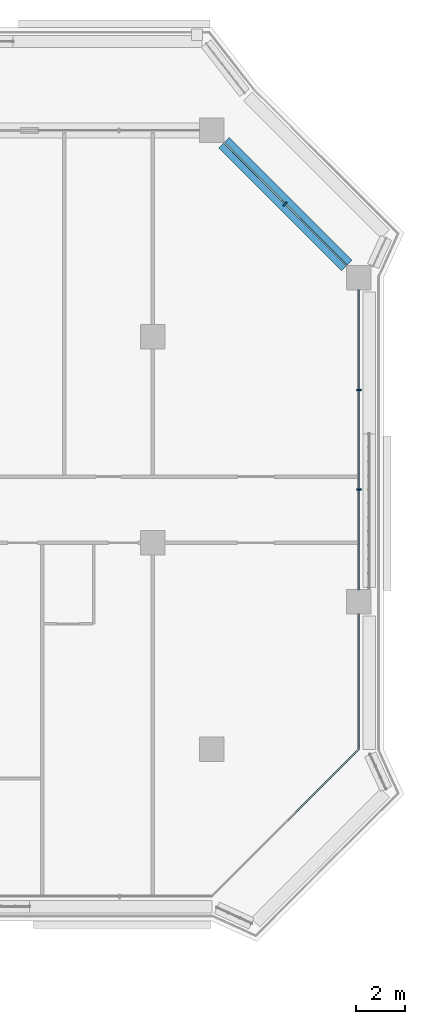
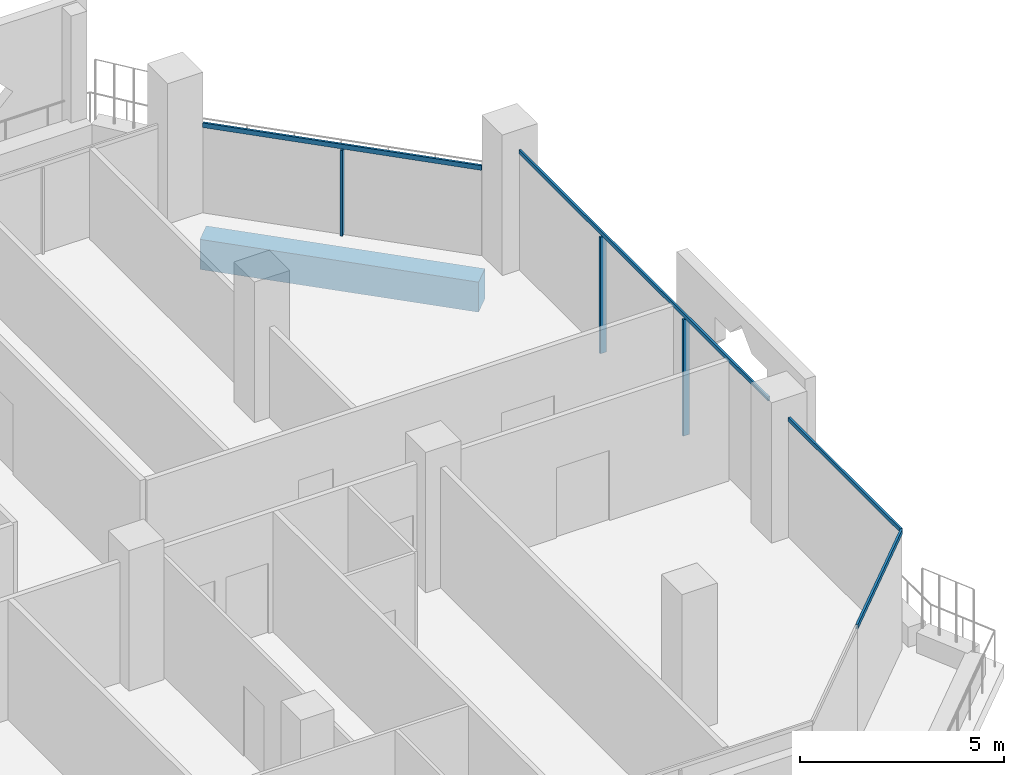
# One storey, part 7 of 22: 7 members, 1 beam, 3 elements without a shape of their own.
"""IFC4 building model written with IfcOpenShell, lengths in metres."""

from ifc_helpers import new_model, si_unit, direction, frame, origin, origin_2d, place, context, subcontext, project, spatial, rectangle, extrude, material, layer, layer_set, material_profile, profile_set, type_object, element, aggregate, save


model = new_model("IFC4")

# Units and contexts
model_context = context("Model", 3, precision=1e-05, world=origin(), true_north=direction((0.0, 1.0)))
body_context = subcontext(model_context, "Body", "Model", "MODEL_VIEW")
ifc_project = project(units=[si_unit("LENGTHUNIT", "METRE"), si_unit("AREAUNIT", "SQUARE_METRE"), si_unit("VOLUMEUNIT", "CUBIC_METRE"), si_unit("PLANEANGLEUNIT", "RADIAN"), si_unit("MASSUNIT", "GRAM", prefix="KILO")], contexts=[model_context])

# Site, building, storey
site_placement = place(None, origin())
site = spatial("IfcSite", under=ifc_project, at=site_placement, CompositionType="ELEMENT")
building_placement = place(site_placement, origin())
building = spatial("IfcBuilding", under=site, at=building_placement, Name="Kawkab Arch Medical Tower", CompositionType="ELEMENT")
storey_placement = place(building_placement, frame((0.0, 0.0, 183.60009765625)))
storey = spatial("IfcBuildingStorey", under=building, at=storey_placement, Name="L42", CompositionType="ELEMENT", Elevation=183.60009765625)

# Curtain wall, members
ifc_material_1 = material(Name="Bronze anodised aluminium curtain wall frame", Category="aluminium")
ifc_layer_1 = layer(ifc_material_1, 0.159912109375)
ifc_layer_set_1 = layer_set([ifc_layer_1], Name="Bronze anodised aluminium curtain wall frame")
curtain_wall_type_1 = type_object("IfcCurtainWallType", Name="CW1 ward curtain wall", PredefinedType="NOTDEFINED", material=ifc_layer_set_1)
placement = place(storey_placement, origin())
curtain_wall_1 = element("IfcCurtainWall", 1, at=placement, inside=storey, type_object=curtain_wall_type_1, Name="CW1 Ward curtain wall R09", PredefinedType="NOTDEFINED")
ifc_material_2 = material(Name="Bronze anodised aluminium curtain wall frame", Category="aluminium")
ifc_material_profile_1 = material_profile(ifc_material_2, rectangle(XDim=0.179931640625, YDim=0.06005859375, at=origin_2d()), Name="AL 60x180")
ifc_profile_set_1 = profile_set([ifc_material_profile_1], Name="Bronze anodised aluminium curtain wall frame")
member_type_1 = type_object("IfcMemberType", Name="CW1 mullion 60 x 180", PredefinedType="MULLION", material=ifc_profile_set_1)
member_1_placement = place(storey_placement, frame((67.199951171875, -14.63330078125, 0.0), z_axis=(0.0, 0.0, 1.0), x_axis=(-1.0, 0.0, 0.0)))
member_1 = element("IfcMember", 2, at=member_1_placement, type_object=member_type_1, Name="CW1 mullion 2.1", PredefinedType="MULLION", context=body_context, shape_type="SweptSolid", body=[
    extrude(rectangle(XDim=0.179931640625, YDim=0.06005859375, at=origin_2d()), origin(), (0.0, 0.0, 1.0), 3.47998046875),
])
member_2_placement = place(storey_placement, frame((67.199951171875, -10.566650390625, 0.0), z_axis=(0.0, 0.0, 1.0), x_axis=(-1.0, 0.0, 0.0)))
member_2 = element("IfcMember", 3, at=member_2_placement, type_object=member_type_1, Name="CW1 mullion 2.2", PredefinedType="MULLION", context=body_context, shape_type="SweptSolid", body=[
    extrude(rectangle(XDim=0.179931640625, YDim=0.06005859375, at=origin_2d()), origin(), (0.0, 0.0, 1.0), 3.47998046875),
])
ifc_material_3 = material(Name="Bronze anodised aluminium curtain wall frame", Category="aluminium")
ifc_material_profile_2 = material_profile(ifc_material_3, rectangle(XDim=0.06005859375, YDim=0.1201171875, at=origin_2d()), Name="AL 60x120")
ifc_profile_set_2 = profile_set([ifc_material_profile_2], Name="Bronze anodised aluminium curtain wall frame")
member_type_2 = type_object("IfcMemberType", Name="CW1 transom 120 x 60", PredefinedType="USERDEFINED", material=ifc_profile_set_2)
member_3_placement = place(storey_placement, frame((67.199951171875, -25.199951171875, 3.539794921875), z_axis=(0.0, 1.0, 0.0), x_axis=(-1.0, 0.0, 0.0)))
member_3 = element("IfcMember", 4, at=member_3_placement, type_object=member_type_2, Name="CW1 transom 1", ObjectType="TRANSOM", PredefinedType="USERDEFINED", context=body_context, shape_type="SweptSolid", body=[
    extrude(rectangle(XDim=0.06005859375, YDim=0.1201171875, at=origin_2d()), origin(), (0.0, 0.0, 1.0), 5.5),
])
member_4_placement = place(storey_placement, frame((67.199951171875, -18.699951171875, 3.539794921875), z_axis=(0.0, 1.0, 0.0), x_axis=(-1.0, 0.0, 0.0)))
member_4 = element("IfcMember", 5, at=member_4_placement, type_object=member_type_2, Name="CW1 transom 2", ObjectType="TRANSOM", PredefinedType="USERDEFINED", context=body_context, shape_type="SweptSolid", body=[
    extrude(rectangle(XDim=0.06005859375, YDim=0.1201171875, at=origin_2d()), origin(), (0.0, 0.0, 1.0), 12.199951171875),
])
aggregate(curtain_wall_1, [member_3, member_4, member_1, member_2])

# Curtain wall, member
ifc_material_4 = material(Name="Bronze anodised aluminium curtain wall frame", Category="aluminium")
ifc_layer_2 = layer(ifc_material_4, 0.159912109375)
ifc_layer_set_2 = layer_set([ifc_layer_2], Name="Bronze anodised aluminium curtain wall frame")
curtain_wall_type_2 = type_object("IfcCurtainWallType", Name="CW2 chamfer curtain wall", PredefinedType="NOTDEFINED", material=ifc_layer_set_2)
curtain_wall_2 = element("IfcCurtainWall", 6, at=placement, inside=storey, type_object=curtain_wall_type_2, Name="CW2 Chamfer curtain wall R10", PredefinedType="NOTDEFINED")
ifc_material_5 = material(Name="Bronze anodised aluminium curtain wall frame", Category="aluminium")
ifc_material_profile_3 = material_profile(ifc_material_5, rectangle(XDim=0.199951171875, YDim=0.06005859375, at=origin_2d()), Name="AL 60x200")
ifc_profile_set_3 = profile_set([ifc_material_profile_3], Name="Bronze anodised aluminium curtain wall frame")
member_type_3 = type_object("IfcMemberType", Name="CW2 mullion 60 x 200", PredefinedType="MULLION", material=ifc_profile_set_3)
member_5_placement = place(storey_placement, frame((64.199951171875, -3.0, 0.0), z_axis=(0.0, 0.0, 1.0), x_axis=(-0.707106781187, -0.707106781187, 0.0)))
member_5 = element("IfcMember", 7, at=member_5_placement, type_object=member_type_3, Name="CW2 mullion 1.1", PredefinedType="MULLION", context=body_context, shape_type="SweptSolid", body=[
    extrude(rectangle(XDim=0.199951171875, YDim=0.06005859375, at=origin_2d()), origin(), (0.0, 0.0, 1.0), 2.559814453125),
])

curtain_wall_3 = element("IfcCurtainWall", 8, at=placement, inside=storey, type_object=curtain_wall_type_2, Name="CW2 Chamfer curtain wall R08", PredefinedType="NOTDEFINED")
ifc_material_6 = material(Name="Bronze anodised aluminium curtain wall frame", Category="aluminium")
ifc_material_profile_4 = material_profile(ifc_material_6, rectangle(XDim=0.06005859375, YDim=0.139892578125, at=origin_2d()), Name="AL 60x140")
ifc_profile_set_4 = profile_set([ifc_material_profile_4], Name="Bronze anodised aluminium curtain wall frame")
member_type_4 = type_object("IfcMemberType", Name="CW2 transom 140 x 60", PredefinedType="USERDEFINED", material=ifc_profile_set_4)
member_6_placement = place(storey_placement, frame((64.199951171875, -28.199951171875, 3.52978515625), z_axis=(0.707106781187, 0.707106781187, 0.0), x_axis=(-0.707106781187, 0.707106781187, 0.0)))
member_6 = element("IfcMember", 9, at=member_6_placement, type_object=member_type_4, Name="CW2 transom 2", ObjectType="TRANSOM", PredefinedType="USERDEFINED", context=body_context, shape_type="SweptSolid", body=[
    extrude(rectangle(XDim=0.06005859375, YDim=0.139892578125, at=origin_2d()), origin(), (0.0, 0.0, 1.0), 4.24267578125),
])
aggregate(curtain_wall_3, [member_6])

# Member
member_7_placement = place(storey_placement, frame((66.699951171875, -5.5, 2.6298828125), z_axis=(-0.707106781187, 0.707106781187, 0.0), x_axis=(-0.707106781187, -0.707106781187, 0.0)))
member_7 = element("IfcMember", 10, at=member_7_placement, type_object=member_type_4, Name="CW2 transom 1", ObjectType="TRANSOM", PredefinedType="USERDEFINED", context=body_context, shape_type="SweptSolid", body=[
    extrude(rectangle(XDim=0.06005859375, YDim=0.139892578125, at=origin_2d()), origin(), (0.0, 0.0, 1.0), 7.071044921875),
])

aggregate(curtain_wall_2, [member_7, member_5])

# Beam
ifc_material_7 = material(Name="Concrete C50/60", Category="concrete")
ifc_material_profile_5 = material_profile(ifc_material_7, rectangle(XDim=0.60009765625, YDim=0.89990234375, at=origin_2d()), Name="RC 600x900")
ifc_profile_set_5 = profile_set([ifc_material_profile_5], Name="Concrete C50/60")
beam_type = type_object("IfcBeamType", Name="RC 600x900 beam C50/60", PredefinedType="BEAM", material=ifc_profile_set_5)
beam_placement = place(storey_placement, frame((61.699951171875, -0.5, -1.050048828125), z_axis=(0.707106781187, -0.707106781187, 0.0), x_axis=(0.707106781187, 0.707106781187, 0.0)))
element("IfcBeam", 11, at=beam_placement, inside=storey, type_object=beam_type, Name="Overhang edge beam L42-08", PredefinedType="BEAM", context=body_context, shape_type="SweptSolid", body=[
    extrude(rectangle(XDim=0.60009765625, YDim=0.89990234375, at=origin_2d()), origin(), (0.0, 0.0, 1.0), 7.071044921875),
])

save(model, "model.ifc")
